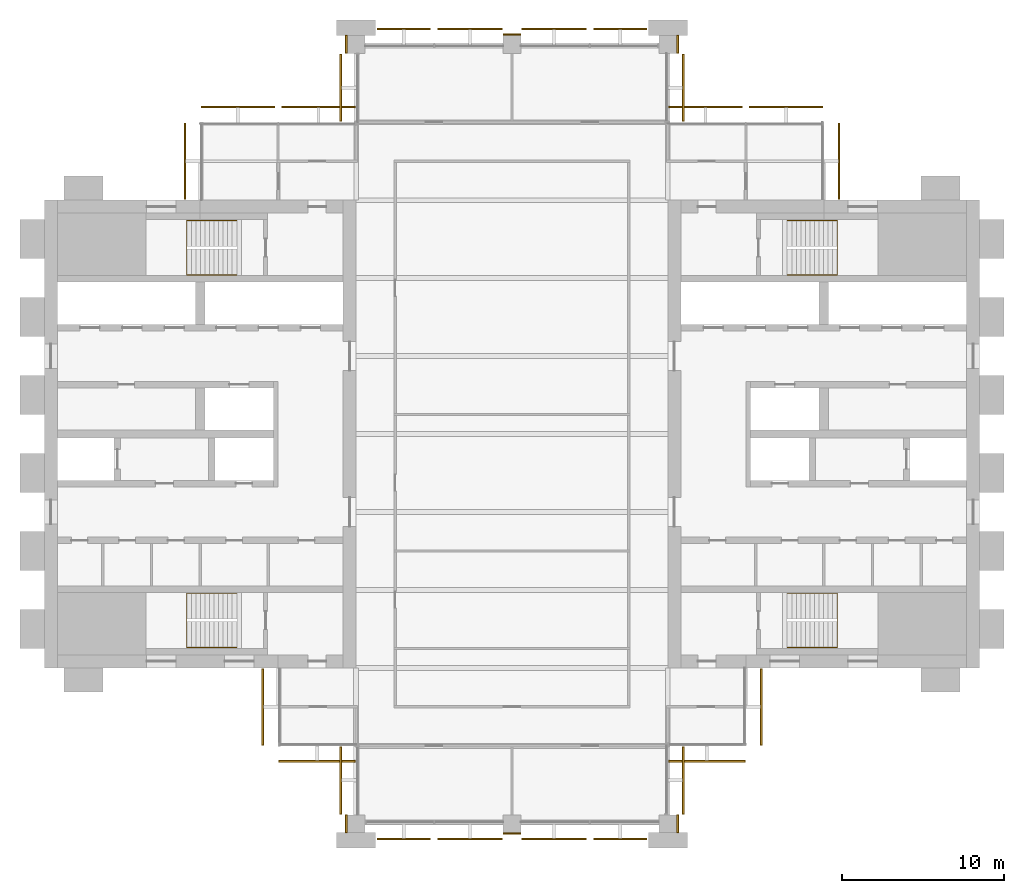
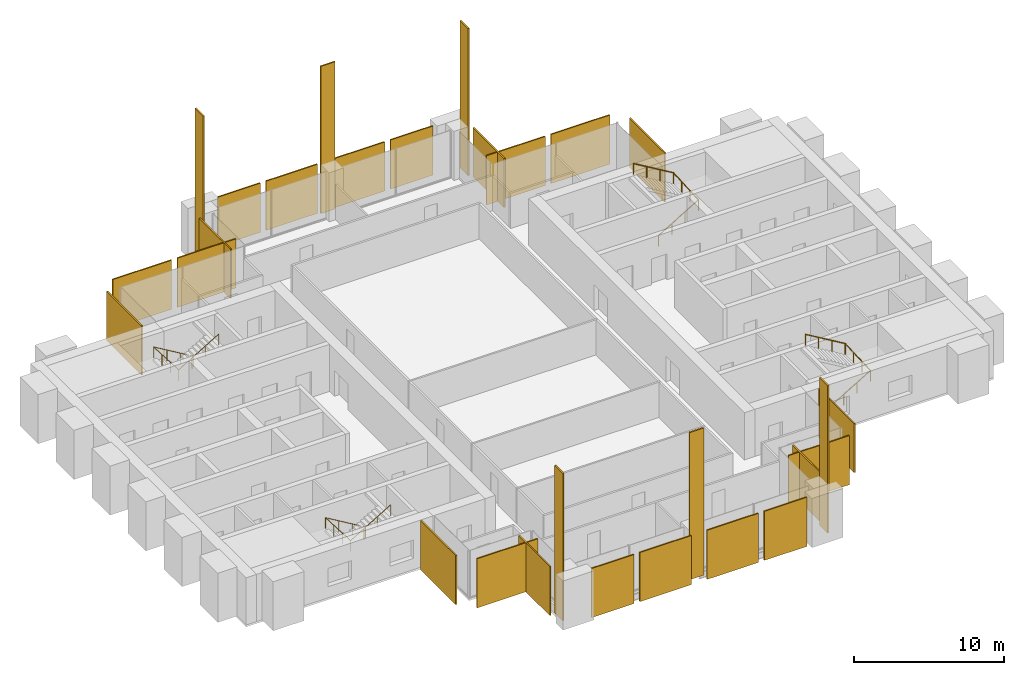
# One storey, part 13 of 13: 28 coverings, 4 railings.
"""IFC4 building model written with IfcOpenShell, lengths in metres."""

from ifc_helpers import new_model, si_unit, direction, frame, origin, origin_2d, place, context, subcontext, project, spatial, polyline, rectangle, circle, outline, extrude, material, layer, layer_set, type_object, element, save


model = new_model("IFC4")

# Units and contexts
model_context = context("Model", 3, precision=1e-05, world=origin(), true_north=direction((0.0, 1.0)))
body_context = subcontext(model_context, "Body", "Model", "MODEL_VIEW")
ifc_project = project(units=[si_unit("LENGTHUNIT", "METRE"), si_unit("AREAUNIT", "SQUARE_METRE"), si_unit("VOLUMEUNIT", "CUBIC_METRE"), si_unit("PLANEANGLEUNIT", "RADIAN"), si_unit("MASSUNIT", "GRAM", prefix="KILO")], contexts=[model_context])

# Site, building, storey
site_placement = place(None, origin())
site = spatial("IfcSite", under=ifc_project, at=site_placement, CompositionType="ELEMENT")
building_placement = place(site_placement, origin())
building = spatial("IfcBuilding", under=site, at=building_placement, Name="Baori Bourse Tower", CompositionType="ELEMENT")
storey_placement = place(building_placement, frame((0.0, 0.0, 249.199951171875)))
storey = spatial("IfcBuildingStorey", under=building, at=storey_placement, Name="L55", CompositionType="ELEMENT", Elevation=249.199951171875)

# Railings
ifc_material_1 = material(Name="Powder-coated steel balustrade", Category="steel")
railing_type = type_object("IfcRailingType", Name="Core stair handrail", PredefinedType="HANDRAIL", material=ifc_material_1)
railing_1_placement = place(storey_placement, frame((11.85009765625, 14.199951171875, 0.166748046875)))
element("IfcRailing", 1, at=railing_1_placement, inside=storey, type_object=railing_type, Name="L55 ST1 stair handrail 1", PredefinedType="HANDRAIL", context=body_context, shape_type="SweptSolid", body=[
    extrude(circle(Radius=0.02392578125, at=origin_2d()), frame((0.0, 0.0, 0.8759765625), z_axis=(-0.859308565015, 0.0, 0.511457515432), x_axis=(0.0, -1.0, 0.0)), (0.0, 0.0, 1.0), 3.58447265625),
    extrude(circle(Radius=0.02392578125, at=origin_2d()), frame((-3.080078125, 0.0, 2.708984375), z_axis=(0.0, -0.998763387249, 0.04971615724), x_axis=(1.0, 0.0, 0.0)), (0.0, 0.0, 1.0), 3.35400390625),
    extrude(circle(Radius=0.02392578125, at=origin_2d()), frame((-3.080078125, -3.349853515625, 2.8759765625), z_axis=(0.859308565015, 0.0, 0.511457515432), x_axis=(0.0, 1.0, 0.0)), (0.0, 0.0, 1.0), 3.58447265625),
    extrude(circle(Radius=0.02099609375, at=origin_2d()), origin(), (0.0, 0.0, 1.0), 0.851806640625),
    extrude(circle(Radius=0.02099609375, at=origin_2d()), frame((-1.026611328125, 0.0, 0.611083984375)), (0.0, 0.0, 1.0), 0.851806640625),
    extrude(circle(Radius=0.02099609375, at=origin_2d()), frame((-2.053466796875, 0.0, 1.22216796875)), (0.0, 0.0, 1.0), 0.851806640625),
    extrude(circle(Radius=0.02099609375, at=origin_2d()), frame((-3.080078125, 0.0, 1.833251953125)), (0.0, 0.0, 1.0), 0.851806640625),
    extrude(circle(Radius=0.02099609375, at=origin_2d()), frame((-3.080078125, -1.11669921875, 1.888916015625)), (0.0, 0.0, 1.0), 0.851806640625),
    extrude(circle(Radius=0.02099609375, at=origin_2d()), frame((-3.080078125, -2.233154296875, 1.9443359375)), (0.0, 0.0, 1.0), 0.851806640625),
    extrude(circle(Radius=0.02099609375, at=origin_2d()), frame((-3.080078125, -3.349853515625, 2.0)), (0.0, 0.0, 1.0), 0.851806640625),
    extrude(circle(Radius=0.02099609375, at=origin_2d()), frame((-2.053466796875, -3.349853515625, 2.611083984375)), (0.0, 0.0, 1.0), 0.851806640625),
    extrude(circle(Radius=0.02099609375, at=origin_2d()), frame((-1.026611328125, -3.349853515625, 3.22216796875)), (0.0, 0.0, 1.0), 0.851806640625),
    extrude(circle(Radius=0.02099609375, at=origin_2d()), frame((0.0, -3.349853515625, 3.833251953125)), (0.0, 0.0, 1.0), 0.851806640625),
])
railing_2_placement = place(storey_placement, frame((11.85009765625, 37.14990234375, 0.166748046875)))
element("IfcRailing", 2, at=railing_2_placement, inside=storey, type_object=railing_type, Name="L55 ST2 stair handrail 1", PredefinedType="HANDRAIL", context=body_context, shape_type="SweptSolid", body=[
    extrude(circle(Radius=0.02392578125, at=origin_2d()), frame((0.0, 0.0, 0.8759765625), z_axis=(-0.859308565015, 0.0, 0.511457515432), x_axis=(0.0, -1.0, 0.0)), (0.0, 0.0, 1.0), 3.58447265625),
    extrude(circle(Radius=0.02392578125, at=origin_2d()), frame((-3.080078125, 0.0, 2.708984375), z_axis=(0.0, -0.998763387249, 0.04971615724), x_axis=(1.0, 0.0, 0.0)), (0.0, 0.0, 1.0), 3.35400390625),
    extrude(circle(Radius=0.02392578125, at=origin_2d()), frame((-3.080078125, -3.349853515625, 2.8759765625), z_axis=(0.859308565015, 0.0, 0.511457515432), x_axis=(0.0, 1.0, 0.0)), (0.0, 0.0, 1.0), 3.58447265625),
    extrude(circle(Radius=0.02099609375, at=origin_2d()), origin(), (0.0, 0.0, 1.0), 0.851806640625),
    extrude(circle(Radius=0.02099609375, at=origin_2d()), frame((-1.026611328125, 0.0, 0.611083984375)), (0.0, 0.0, 1.0), 0.851806640625),
    extrude(circle(Radius=0.02099609375, at=origin_2d()), frame((-2.053466796875, 0.0, 1.22216796875)), (0.0, 0.0, 1.0), 0.851806640625),
    extrude(circle(Radius=0.02099609375, at=origin_2d()), frame((-3.080078125, 0.0, 1.833251953125)), (0.0, 0.0, 1.0), 0.851806640625),
    extrude(circle(Radius=0.02099609375, at=origin_2d()), frame((-3.080078125, -1.11669921875, 1.888916015625)), (0.0, 0.0, 1.0), 0.851806640625),
    extrude(circle(Radius=0.02099609375, at=origin_2d()), frame((-3.080078125, -2.233154296875, 1.9443359375)), (0.0, 0.0, 1.0), 0.851806640625),
    extrude(circle(Radius=0.02099609375, at=origin_2d()), frame((-3.080078125, -3.349853515625, 2.0)), (0.0, 0.0, 1.0), 0.851806640625),
    extrude(circle(Radius=0.02099609375, at=origin_2d()), frame((-2.053466796875, -3.349853515625, 2.611083984375)), (0.0, 0.0, 1.0), 0.851806640625),
    extrude(circle(Radius=0.02099609375, at=origin_2d()), frame((-1.026611328125, -3.349853515625, 3.22216796875)), (0.0, 0.0, 1.0), 0.851806640625),
    extrude(circle(Radius=0.02099609375, at=origin_2d()), frame((0.0, -3.349853515625, 3.833251953125)), (0.0, 0.0, 1.0), 0.851806640625),
])
railing_3_placement = place(storey_placement, frame((45.75, 10.85009765625, 0.166748046875)))
element("IfcRailing", 3, at=railing_3_placement, inside=storey, type_object=railing_type, Name="L55 ST3 stair handrail 1", PredefinedType="HANDRAIL", context=body_context, shape_type="SweptSolid", body=[
    extrude(circle(Radius=0.02392578125, at=origin_2d()), frame((0.0, 0.0, 0.8759765625), z_axis=(0.859308565015, 0.0, 0.511457515432), x_axis=(0.0, 1.0, 0.0)), (0.0, 0.0, 1.0), 3.58447265625),
    extrude(circle(Radius=0.02392578125, at=origin_2d()), frame((3.080078125, 0.0, 2.708984375), z_axis=(0.0, 0.998763387249, 0.04971615724), x_axis=(-1.0, 0.0, 0.0)), (0.0, 0.0, 1.0), 3.35400390625),
    extrude(circle(Radius=0.02392578125, at=origin_2d()), frame((3.080078125, 3.349853515625, 2.8759765625), z_axis=(-0.859308565015, 0.0, 0.511457515432), x_axis=(0.0, -1.0, 0.0)), (0.0, 0.0, 1.0), 3.58447265625),
    extrude(circle(Radius=0.02099609375, at=origin_2d()), origin(), (0.0, 0.0, 1.0), 0.851806640625),
    extrude(circle(Radius=0.02099609375, at=origin_2d()), frame((1.026611328125, 0.0, 0.611083984375)), (0.0, 0.0, 1.0), 0.851806640625),
    extrude(circle(Radius=0.02099609375, at=origin_2d()), frame((2.053466796875, 0.0, 1.22216796875)), (0.0, 0.0, 1.0), 0.851806640625),
    extrude(circle(Radius=0.02099609375, at=origin_2d()), frame((3.080078125, 0.0, 1.833251953125)), (0.0, 0.0, 1.0), 0.851806640625),
    extrude(circle(Radius=0.02099609375, at=origin_2d()), frame((3.080078125, 1.11669921875, 1.888916015625)), (0.0, 0.0, 1.0), 0.851806640625),
    extrude(circle(Radius=0.02099609375, at=origin_2d()), frame((3.080078125, 2.233154296875, 1.9443359375)), (0.0, 0.0, 1.0), 0.851806640625),
    extrude(circle(Radius=0.02099609375, at=origin_2d()), frame((3.080078125, 3.349853515625, 2.0)), (0.0, 0.0, 1.0), 0.851806640625),
    extrude(circle(Radius=0.02099609375, at=origin_2d()), frame((2.053466796875, 3.349853515625, 2.611083984375)), (0.0, 0.0, 1.0), 0.851806640625),
    extrude(circle(Radius=0.02099609375, at=origin_2d()), frame((1.026611328125, 3.349853515625, 3.22216796875)), (0.0, 0.0, 1.0), 0.851806640625),
    extrude(circle(Radius=0.02099609375, at=origin_2d()), frame((0.0, 3.349853515625, 3.833251953125)), (0.0, 0.0, 1.0), 0.851806640625),
])
railing_4_placement = place(storey_placement, frame((45.75, 33.800048828125, 0.166748046875)))
element("IfcRailing", 4, at=railing_4_placement, inside=storey, type_object=railing_type, Name="L55 ST4 stair handrail 1", PredefinedType="HANDRAIL", context=body_context, shape_type="SweptSolid", body=[
    extrude(circle(Radius=0.02392578125, at=origin_2d()), frame((0.0, 0.0, 0.8759765625), z_axis=(0.859308565015, 0.0, 0.511457515432), x_axis=(0.0, 1.0, 0.0)), (0.0, 0.0, 1.0), 3.58447265625),
    extrude(circle(Radius=0.02392578125, at=origin_2d()), frame((3.080078125, 0.0, 2.708984375), z_axis=(0.0, 0.998763387249, 0.04971615724), x_axis=(-1.0, 0.0, 0.0)), (0.0, 0.0, 1.0), 3.35400390625),
    extrude(circle(Radius=0.02392578125, at=origin_2d()), frame((3.080078125, 3.349853515625, 2.8759765625), z_axis=(-0.859308565015, 0.0, 0.511457515432), x_axis=(0.0, -1.0, 0.0)), (0.0, 0.0, 1.0), 3.58447265625),
    extrude(circle(Radius=0.02099609375, at=origin_2d()), origin(), (0.0, 0.0, 1.0), 0.851806640625),
    extrude(circle(Radius=0.02099609375, at=origin_2d()), frame((1.026611328125, 0.0, 0.611083984375)), (0.0, 0.0, 1.0), 0.851806640625),
    extrude(circle(Radius=0.02099609375, at=origin_2d()), frame((2.053466796875, 0.0, 1.22216796875)), (0.0, 0.0, 1.0), 0.851806640625),
    extrude(circle(Radius=0.02099609375, at=origin_2d()), frame((3.080078125, 0.0, 1.833251953125)), (0.0, 0.0, 1.0), 0.851806640625),
    extrude(circle(Radius=0.02099609375, at=origin_2d()), frame((3.080078125, 1.11669921875, 1.888916015625)), (0.0, 0.0, 1.0), 0.851806640625),
    extrude(circle(Radius=0.02099609375, at=origin_2d()), frame((3.080078125, 2.233154296875, 1.9443359375)), (0.0, 0.0, 1.0), 0.851806640625),
    extrude(circle(Radius=0.02099609375, at=origin_2d()), frame((3.080078125, 3.349853515625, 2.0)), (0.0, 0.0, 1.0), 0.851806640625),
    extrude(circle(Radius=0.02099609375, at=origin_2d()), frame((2.053466796875, 3.349853515625, 2.611083984375)), (0.0, 0.0, 1.0), 0.851806640625),
    extrude(circle(Radius=0.02099609375, at=origin_2d()), frame((1.026611328125, 3.349853515625, 3.22216796875)), (0.0, 0.0, 1.0), 0.851806640625),
    extrude(circle(Radius=0.02099609375, at=origin_2d()), frame((0.0, 3.349853515625, 3.833251953125)), (0.0, 0.0, 1.0), 0.851806640625),
])

# Coverings
ifc_material_2 = material(Name="Pale anodised aluminium", Category="aluminium")
ifc_layer_1 = layer(ifc_material_2, 0.10009765625)
ifc_layer_set_1 = layer_set([ifc_layer_1], Name="OS3 Outer skin screen panel")
covering_type_1 = type_object("IfcCoveringType", Name="OS3 Outer skin screen panel", PredefinedType="CLADDING", material=ifc_layer_set_1)
covering_1_placement = place(storey_placement, frame((0.0, 0.0, -0.159912109375)))
element("IfcCovering", 5, at=covering_1_placement, inside=storey, type_object=covering_type_1, Name="Outer skin screen L55 1", PredefinedType="CLADDING", context=body_context, shape_type="SweptSolid", body=[
    extrude(outline(polyline([(48.89990234375, 43.14990234375), (48.89990234375, 38.449951171875), (49.0, 38.449951171875), (49.0, 43.14990234375), (48.89990234375, 43.14990234375)])), origin(), (0.0, 0.0, 1.0), 4.0),
])
covering_2_placement = place(storey_placement, frame((0.0, 0.0, -0.159912109375)))
element("IfcCovering", 6, at=covering_2_placement, inside=storey, type_object=covering_type_1, Name="Outer skin screen L55 2", PredefinedType="CLADDING", context=body_context, shape_type="SweptSolid", body=[
    extrude(outline(polyline([(43.425048828125, 44.10009765625), (47.949951171875, 44.10009765625), (47.949951171875, 44.199951171875), (43.425048828125, 44.199951171875), (43.425048828125, 44.10009765625)])), origin(), (0.0, 0.0, 1.0), 4.0),
])
covering_3_placement = place(storey_placement, frame((0.0, 0.0, -0.159912109375)))
element("IfcCovering", 7, at=covering_3_placement, inside=storey, type_object=covering_type_1, Name="Outer skin screen L55 3", PredefinedType="CLADDING", context=body_context, shape_type="SweptSolid", body=[
    extrude(outline(polyline([(38.449951171875, 44.10009765625), (42.97509765625, 44.10009765625), (42.97509765625, 44.199951171875), (38.449951171875, 44.199951171875), (38.449951171875, 44.10009765625)])), origin(), (0.0, 0.0, 1.0), 4.0),
])
covering_4_placement = place(storey_placement, frame((0.0, 0.0, -0.159912109375)))
element("IfcCovering", 8, at=covering_4_placement, inside=storey, type_object=covering_type_1, Name="Outer skin screen L55 4", PredefinedType="CLADDING", context=body_context, shape_type="SweptSolid", body=[
    extrude(outline(polyline([(39.300048828125, 47.39990234375), (39.300048828125, 43.25), (39.39990234375, 43.25), (39.39990234375, 47.39990234375), (39.300048828125, 47.39990234375)])), origin(), (0.0, 0.0, 1.0), 4.0),
])
covering_5_placement = place(storey_placement, frame((0.0, 0.0, -0.159912109375)))
element("IfcCovering", 9, at=covering_5_placement, inside=storey, type_object=covering_type_1, Name="Outer skin screen L55 5", PredefinedType="CLADDING", context=body_context, shape_type="SweptSolid", body=[
    extrude(outline(polyline([(33.824951171875, 48.89990234375), (37.10009765625, 48.89990234375), (37.10009765625, 49.0), (33.824951171875, 49.0), (33.824951171875, 48.89990234375)])), origin(), (0.0, 0.0, 1.0), 4.0),
])
covering_6_placement = place(storey_placement, frame((0.0, 0.0, -0.159912109375)))
element("IfcCovering", 10, at=covering_6_placement, inside=storey, type_object=covering_type_1, Name="Outer skin screen L55 6", PredefinedType="CLADDING", context=body_context, shape_type="SweptSolid", body=[
    extrude(outline(polyline([(29.39990234375, 48.89990234375), (33.375, 48.89990234375), (33.375, 49.0), (29.39990234375, 49.0), (29.39990234375, 48.89990234375)])), origin(), (0.0, 0.0, 1.0), 4.0),
])
covering_7_placement = place(storey_placement, frame((0.0, 0.0, -0.159912109375)))
element("IfcCovering", 11, at=covering_7_placement, inside=storey, type_object=covering_type_1, Name="Outer skin screen L55 7", PredefinedType="CLADDING", context=body_context, shape_type="SweptSolid", body=[
    extrude(outline(polyline([(24.22509765625, 48.89990234375), (28.199951171875, 48.89990234375), (28.199951171875, 49.0), (24.22509765625, 49.0), (24.22509765625, 48.89990234375)])), origin(), (0.0, 0.0, 1.0), 4.0),
])
covering_8_placement = place(storey_placement, frame((0.0, 0.0, -0.159912109375)))
element("IfcCovering", 12, at=covering_8_placement, inside=storey, type_object=covering_type_1, Name="Outer skin screen L55 8", PredefinedType="CLADDING", context=body_context, shape_type="SweptSolid", body=[
    extrude(outline(polyline([(20.5, 48.89990234375), (23.77490234375, 48.89990234375), (23.77490234375, 49.0), (20.5, 49.0), (20.5, 48.89990234375)])), origin(), (0.0, 0.0, 1.0), 4.0),
])
covering_9_placement = place(storey_placement, frame((0.0, 0.0, -0.159912109375)))
element("IfcCovering", 13, at=covering_9_placement, inside=storey, type_object=covering_type_1, Name="Outer skin screen L55 9", PredefinedType="CLADDING", context=body_context, shape_type="SweptSolid", body=[
    extrude(outline(polyline([(18.300048828125, 43.25), (18.300048828125, 47.39990234375), (18.199951171875, 47.39990234375), (18.199951171875, 43.25), (18.300048828125, 43.25)])), origin(), (0.0, 0.0, 1.0), 4.0),
])
covering_10_placement = place(storey_placement, frame((0.0, 0.0, -0.159912109375)))
element("IfcCovering", 14, at=covering_10_placement, inside=storey, type_object=covering_type_1, Name="Outer skin screen L55 10", PredefinedType="CLADDING", context=body_context, shape_type="SweptSolid", body=[
    extrude(outline(polyline([(14.625, 44.10009765625), (19.14990234375, 44.10009765625), (19.14990234375, 44.199951171875), (14.625, 44.199951171875), (14.625, 44.10009765625)])), origin(), (0.0, 0.0, 1.0), 4.0),
])
covering_11_placement = place(storey_placement, frame((0.0, 0.0, -0.159912109375)))
element("IfcCovering", 15, at=covering_11_placement, inside=storey, type_object=covering_type_1, Name="Outer skin screen L55 11", PredefinedType="CLADDING", context=body_context, shape_type="SweptSolid", body=[
    extrude(outline(polyline([(9.64990234375, 44.10009765625), (14.175048828125, 44.10009765625), (14.175048828125, 44.199951171875), (9.64990234375, 44.199951171875), (9.64990234375, 44.10009765625)])), origin(), (0.0, 0.0, 1.0), 4.0),
])
covering_12_placement = place(storey_placement, frame((0.0, 0.0, -0.159912109375)))
element("IfcCovering", 16, at=covering_12_placement, inside=storey, type_object=covering_type_1, Name="Outer skin screen L55 12", PredefinedType="CLADDING", context=body_context, shape_type="SweptSolid", body=[
    extrude(outline(polyline([(8.699951171875, 38.449951171875), (8.699951171875, 43.14990234375), (8.60009765625, 43.14990234375), (8.60009765625, 38.449951171875), (8.699951171875, 38.449951171875)])), origin(), (0.0, 0.0, 1.0), 4.0),
])
covering_13_placement = place(storey_placement, frame((0.0, 0.0, -0.159912109375)))
element("IfcCovering", 17, at=covering_13_placement, inside=storey, type_object=covering_type_1, Name="Outer skin screen L55 13", PredefinedType="CLADDING", context=body_context, shape_type="SweptSolid", body=[
    extrude(outline(polyline([(13.5, 4.85009765625), (13.5, 9.550048828125), (13.39990234375, 9.550048828125), (13.39990234375, 4.85009765625), (13.5, 4.85009765625)])), origin(), (0.0, 0.0, 1.0), 4.0),
])
covering_14_placement = place(storey_placement, frame((0.0, 0.0, -0.159912109375)))
element("IfcCovering", 18, at=covering_14_placement, inside=storey, type_object=covering_type_1, Name="Outer skin screen L55 14", PredefinedType="CLADDING", context=body_context, shape_type="SweptSolid", body=[
    extrude(outline(polyline([(19.14990234375, 3.89990234375), (14.449951171875, 3.89990234375), (14.449951171875, 3.800048828125), (19.14990234375, 3.800048828125), (19.14990234375, 3.89990234375)])), origin(), (0.0, 0.0, 1.0), 4.0),
])
covering_15_placement = place(storey_placement, frame((0.0, 0.0, -0.159912109375)))
element("IfcCovering", 19, at=covering_15_placement, inside=storey, type_object=covering_type_1, Name="Outer skin screen L55 15", PredefinedType="CLADDING", context=body_context, shape_type="SweptSolid", body=[
    extrude(outline(polyline([(18.300048828125, 0.60009765625), (18.300048828125, 4.75), (18.199951171875, 4.75), (18.199951171875, 0.60009765625), (18.300048828125, 0.60009765625)])), origin(), (0.0, 0.0, 1.0), 4.0),
])
covering_16_placement = place(storey_placement, frame((0.0, 0.0, -0.159912109375)))
element("IfcCovering", 20, at=covering_16_placement, inside=storey, type_object=covering_type_1, Name="Outer skin screen L55 16", PredefinedType="CLADDING", context=body_context, shape_type="SweptSolid", body=[
    extrude(outline(polyline([(23.77490234375, -0.89990234375), (20.5, -0.89990234375), (20.5, -1.0), (23.77490234375, -1.0), (23.77490234375, -0.89990234375)])), origin(), (0.0, 0.0, 1.0), 4.0),
])
covering_17_placement = place(storey_placement, frame((0.0, 0.0, -0.159912109375)))
element("IfcCovering", 21, at=covering_17_placement, inside=storey, type_object=covering_type_1, Name="Outer skin screen L55 17", PredefinedType="CLADDING", context=body_context, shape_type="SweptSolid", body=[
    extrude(outline(polyline([(28.199951171875, -0.89990234375), (24.22509765625, -0.89990234375), (24.22509765625, -1.0), (28.199951171875, -1.0), (28.199951171875, -0.89990234375)])), origin(), (0.0, 0.0, 1.0), 4.0),
])
covering_18_placement = place(storey_placement, frame((0.0, 0.0, -0.159912109375)))
element("IfcCovering", 22, at=covering_18_placement, inside=storey, type_object=covering_type_1, Name="Outer skin screen L55 18", PredefinedType="CLADDING", context=body_context, shape_type="SweptSolid", body=[
    extrude(outline(polyline([(33.375, -0.89990234375), (29.39990234375, -0.89990234375), (29.39990234375, -1.0), (33.375, -1.0), (33.375, -0.89990234375)])), origin(), (0.0, 0.0, 1.0), 4.0),
])
covering_19_placement = place(storey_placement, frame((0.0, 0.0, -0.159912109375)))
element("IfcCovering", 23, at=covering_19_placement, inside=storey, type_object=covering_type_1, Name="Outer skin screen L55 19", PredefinedType="CLADDING", context=body_context, shape_type="SweptSolid", body=[
    extrude(outline(polyline([(37.10009765625, -0.89990234375), (33.824951171875, -0.89990234375), (33.824951171875, -1.0), (37.10009765625, -1.0), (37.10009765625, -0.89990234375)])), origin(), (0.0, 0.0, 1.0), 4.0),
])
covering_20_placement = place(storey_placement, frame((0.0, 0.0, -0.159912109375)))
element("IfcCovering", 24, at=covering_20_placement, inside=storey, type_object=covering_type_1, Name="Outer skin screen L55 20", PredefinedType="CLADDING", context=body_context, shape_type="SweptSolid", body=[
    extrude(outline(polyline([(39.300048828125, 4.75), (39.300048828125, 0.60009765625), (39.39990234375, 0.60009765625), (39.39990234375, 4.75), (39.300048828125, 4.75)])), origin(), (0.0, 0.0, 1.0), 4.0),
])
covering_21_placement = place(storey_placement, frame((0.0, 0.0, -0.159912109375)))
element("IfcCovering", 25, at=covering_21_placement, inside=storey, type_object=covering_type_1, Name="Outer skin screen L55 21", PredefinedType="CLADDING", context=body_context, shape_type="SweptSolid", body=[
    extrude(outline(polyline([(43.14990234375, 3.89990234375), (38.449951171875, 3.89990234375), (38.449951171875, 3.800048828125), (43.14990234375, 3.800048828125), (43.14990234375, 3.89990234375)])), origin(), (0.0, 0.0, 1.0), 4.0),
])
covering_22_placement = place(storey_placement, frame((0.0, 0.0, -0.159912109375)))
element("IfcCovering", 26, at=covering_22_placement, inside=storey, type_object=covering_type_1, Name="Outer skin screen L55 22", PredefinedType="CLADDING", context=body_context, shape_type="SweptSolid", body=[
    extrude(outline(polyline([(44.10009765625, 9.550048828125), (44.10009765625, 4.85009765625), (44.199951171875, 4.85009765625), (44.199951171875, 9.550048828125), (44.10009765625, 9.550048828125)])), origin(), (0.0, 0.0, 1.0), 4.0),
])
ifc_material_3 = material(Name="Face brick", Category="masonry")
ifc_layer_2 = layer(ifc_material_3, 0.110107421875)
ifc_layer_set_2 = layer_set([ifc_layer_2], Name="PC1 Brick pier facing")
covering_type_2 = type_object("IfcCoveringType", Name="PC1 Brick pier facing", PredefinedType="CLADDING", material=ifc_layer_set_2)
covering_23_placement = place(storey_placement, frame((18.594970703125, 0.0, 0.0), z_axis=(0.0, 0.0, 1.0), x_axis=(1.0, 0.0, 0.0)))
element("IfcCovering", 27, at=covering_23_placement, inside=storey, type_object=covering_type_2, Name="Brick pier facing L55 1", PredefinedType="CLADDING", context=body_context, shape_type="SweptSolid", body=[
    extrude(rectangle(XDim=0.110107421875, YDim=1.10009765625, at=origin_2d()), origin(), (0.0, 0.0, 1.0), 12.0),
])
covering_24_placement = place(storey_placement, frame((28.800048828125, -0.60498046875, 0.0), z_axis=(0.0, 0.0, 1.0), x_axis=(1.0, 0.0, 0.0)))
element("IfcCovering", 28, at=covering_24_placement, inside=storey, type_object=covering_type_2, Name="Brick pier facing L55 2", PredefinedType="CLADDING", context=body_context, shape_type="SweptSolid", body=[
    extrude(rectangle(XDim=1.10009765625, YDim=0.110107421875, at=origin_2d()), origin(), (0.0, 0.0, 1.0), 12.0),
])
for number, where, z_axis, x_axis, name in (
    (29, (39.0048828125, 0.0, 0.0), (0.0, 0.0, 1.0), (1.0, 0.0, 0.0), "Brick pier facing L55 3"),
    (30, (18.594970703125, 48.0, 0.0), (0.0, 0.0, 1.0), (1.0, 0.0, 0.0), "Brick pier facing L55 4"),
):
    element("IfcCovering", number, at=place(storey_placement, frame(where, z_axis=z_axis, x_axis=x_axis)), inside=storey, type_object=covering_type_2, Name=name, PredefinedType="CLADDING", context=body_context, shape_type="SweptSolid", body=[
        extrude(rectangle(XDim=0.110107421875, YDim=1.10009765625, at=origin_2d()), origin(), (0.0, 0.0, 1.0), 12.0),
    ])
covering_25_placement = place(storey_placement, frame((28.800048828125, 48.60498046875, 0.0), z_axis=(0.0, 0.0, 1.0), x_axis=(1.0, 0.0, 0.0)))
element("IfcCovering", 31, at=covering_25_placement, inside=storey, type_object=covering_type_2, Name="Brick pier facing L55 5", PredefinedType="CLADDING", context=body_context, shape_type="SweptSolid", body=[
    extrude(rectangle(XDim=1.10009765625, YDim=0.110107421875, at=origin_2d()), origin(), (0.0, 0.0, 1.0), 12.0),
])
covering_26_placement = place(storey_placement, frame((39.0048828125, 48.0, 0.0), z_axis=(0.0, 0.0, 1.0), x_axis=(1.0, 0.0, 0.0)))
element("IfcCovering", 32, at=covering_26_placement, inside=storey, type_object=covering_type_2, Name="Brick pier facing L55 6", PredefinedType="CLADDING", context=body_context, shape_type="SweptSolid", body=[
    extrude(rectangle(XDim=0.110107421875, YDim=1.10009765625, at=origin_2d()), origin(), (0.0, 0.0, 1.0), 12.0),
])

save(model, "model.ifc")
